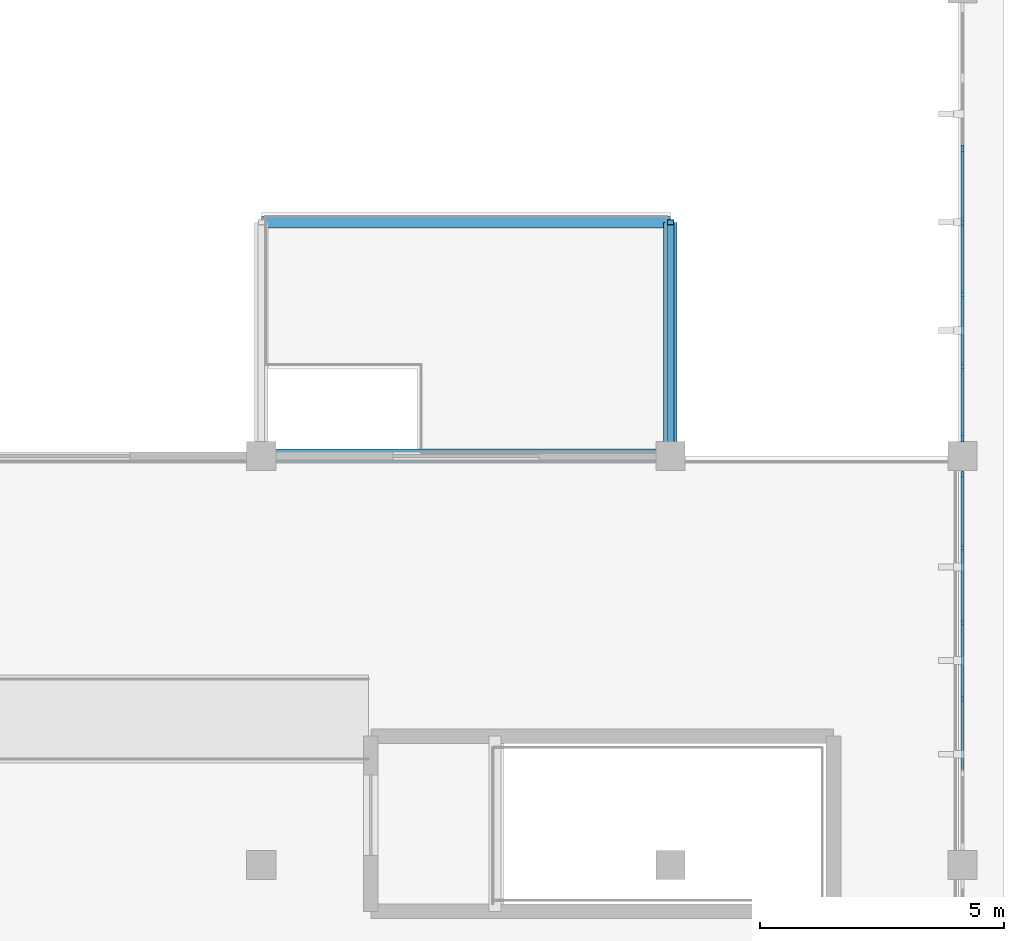
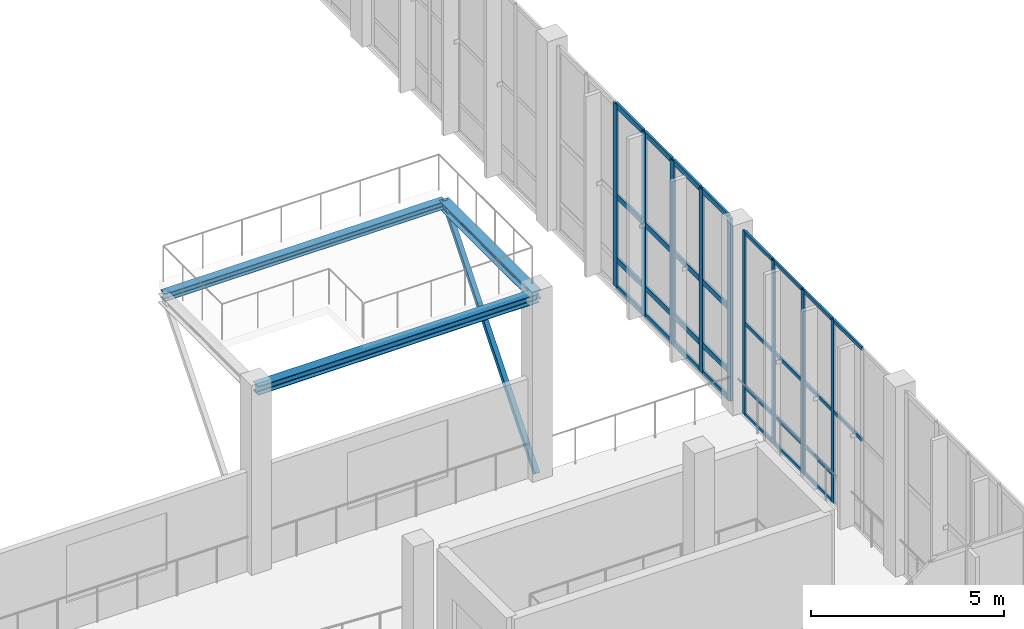
# One storey, part 50 of 105: 40 members, 3 beams, 2 elements without a shape of their own.
"""IFC4 building model written with IfcOpenShell, lengths in metres."""

from ifc_helpers import new_model, si_unit, direction, frame, origin, origin_2d, place, context, subcontext, project, spatial, rectangle, hollow_rectangle, i_section, extrude, material, material_profile, profile_set, type_object, element, aggregate, save


model = new_model("IFC4")

# Units and contexts
model_context = context("Model", 3, precision=1e-05, world=origin(), true_north=direction((0.0, 1.0)))
body_context = subcontext(model_context, "Body", "Model", "MODEL_VIEW")
ifc_project = project(units=[si_unit("LENGTHUNIT", "METRE"), si_unit("AREAUNIT", "SQUARE_METRE"), si_unit("VOLUMEUNIT", "CUBIC_METRE"), si_unit("PLANEANGLEUNIT", "RADIAN"), si_unit("MASSUNIT", "GRAM", prefix="KILO")], contexts=[model_context])

# Site, building, storey
site_placement = place(None, origin())
site = spatial("IfcSite", under=ifc_project, at=site_placement, CompositionType="ELEMENT")
building_placement = place(site_placement, origin())
building = spatial("IfcBuilding", under=site, at=building_placement, Name="Tizgana Railside Sports Hall", CompositionType="ELEMENT")
storey_placement = place(building_placement, frame((0.0, 0.0, 6.0)))
storey = spatial("IfcBuildingStorey", under=building, at=storey_placement, Name="L01", CompositionType="ELEMENT", Elevation=6.0)

# Curtain wall, members
ifc_material_1 = material(Name="Anodised aluminium and glass", Category="aluminium")
curtain_wall_type_1 = type_object("IfcCurtainWallType", Name="Unitised Curtain Wall Clinic 1200", PredefinedType="NOTDEFINED", material=ifc_material_1)
curtain_wall_1_placement = place(storey_placement, origin())
curtain_wall_1 = element("IfcCurtainWall", 1, at=curtain_wall_1_placement, inside=storey, type_object=curtain_wall_type_1, Name="L01 Curtain Wall CW-0060", PredefinedType="NOTDEFINED")
ifc_material_2 = material(Name="Anodised aluminium", Category="aluminium")
ifc_material_profile_1 = material_profile(ifc_material_2, rectangle(XDim=0.06005859375, YDim=0.139892578125, at=origin_2d()), Name="Mullion 60x140")
ifc_profile_set_1 = profile_set([ifc_material_profile_1], Name="Anodised aluminium")
member_type_1 = type_object("IfcMemberType", Name="Mullion 60x140", PredefinedType="MULLION", material=ifc_profile_set_1)
member_1_placement = place(storey_placement, frame((172.199951171875, 83.8310546875, 0.0), z_axis=(0.0, 0.0, 1.0), x_axis=(-1.0, 0.0, 0.0)))
member_1 = element("IfcMember", 2, at=member_1_placement, type_object=member_type_1, Name="CW-05 mullion 3", PredefinedType="MULLION", context=body_context, shape_type="SweptSolid", body=[
    extrude(rectangle(XDim=0.06005859375, YDim=0.139892578125, at=origin_2d()), origin(), (0.0, 0.0, 1.0), 5.800048828125),
])
member_2_placement = place(storey_placement, frame((172.199951171875, 85.368896484375, 0.0), z_axis=(0.0, 0.0, 1.0), x_axis=(-1.0, 0.0, 0.0)))
member_2 = element("IfcMember", 3, at=member_2_placement, type_object=member_type_1, Name="CW-05 mullion 4", PredefinedType="MULLION", context=body_context, shape_type="SweptSolid", body=[
    extrude(rectangle(XDim=0.06005859375, YDim=0.139892578125, at=origin_2d()), origin(), (0.0, 0.0, 1.0), 5.800048828125),
])
member_3_placement = place(storey_placement, frame((172.199951171875, 86.906982421875, 0.0), z_axis=(0.0, 0.0, 1.0), x_axis=(-1.0, 0.0, 0.0)))
member_3 = element("IfcMember", 4, at=member_3_placement, type_object=member_type_1, Name="CW-05 mullion 5", PredefinedType="MULLION", context=body_context, shape_type="SweptSolid", body=[
    extrude(rectangle(XDim=0.06005859375, YDim=0.139892578125, at=origin_2d()), origin(), (0.0, 0.0, 1.0), 5.800048828125),
])
member_4_placement = place(storey_placement, frame((172.199951171875, 88.4150390625, 0.0), z_axis=(0.0, 0.0, 1.0), x_axis=(-1.0, 0.0, 0.0)))
member_4 = element("IfcMember", 5, at=member_4_placement, type_object=member_type_1, Name="CW-05 mullion 6", PredefinedType="MULLION", context=body_context, shape_type="SweptSolid", body=[
    extrude(rectangle(XDim=0.06005859375, YDim=0.139892578125, at=origin_2d()), origin(), (0.0, 0.0, 1.0), 5.800048828125),
])

curtain_wall_type_2 = type_object("IfcCurtainWallType", Name="Unitised Curtain Wall EastHall 1500", PredefinedType="NOTDEFINED", material=ifc_material_1)
curtain_wall_2_placement = place(storey_placement, origin())
curtain_wall_2 = element("IfcCurtainWall", 6, at=curtain_wall_2_placement, inside=storey, type_object=curtain_wall_type_2, Name="L01 Curtain Wall CW-0063", PredefinedType="NOTDEFINED")
ifc_material_profile_2 = material_profile(ifc_material_2, rectangle(XDim=0.06494140625, YDim=0.199951171875, at=origin_2d()), Name="Mullion 65x200")
ifc_profile_set_2 = profile_set([ifc_material_profile_2], Name="Anodised aluminium")
member_type_2 = type_object("IfcMemberType", Name="Mullion 65x200", PredefinedType="MULLION", material=ifc_profile_set_2)
member_5_placement = place(storey_placement, frame((172.199951171875, 89.1875, 0.0), z_axis=(0.0, 0.0, 1.0), x_axis=(-1.0, 0.0, 0.0)))
member_5 = element("IfcMember", 7, at=member_5_placement, type_object=member_type_2, Name="CW-08 mullion 1", PredefinedType="MULLION", context=body_context, shape_type="SweptSolid", body=[
    extrude(rectangle(XDim=0.06494140625, YDim=0.199951171875, at=origin_2d()), origin(), (0.0, 0.0, 1.0), 5.800048828125),
])
member_6_placement = place(storey_placement, frame((172.199951171875, 90.63671875, 0.0), z_axis=(0.0, 0.0, 1.0), x_axis=(-1.0, 0.0, 0.0)))
member_6 = element("IfcMember", 8, at=member_6_placement, type_object=member_type_2, Name="CW-08 mullion 2", PredefinedType="MULLION", context=body_context, shape_type="SweptSolid", body=[
    extrude(rectangle(XDim=0.06494140625, YDim=0.199951171875, at=origin_2d()), origin(), (0.0, 0.0, 1.0), 5.800048828125),
])
member_7_placement = place(storey_placement, frame((172.199951171875, 92.118408203125, 0.0), z_axis=(0.0, 0.0, 1.0), x_axis=(-1.0, 0.0, 0.0)))
member_7 = element("IfcMember", 9, at=member_7_placement, type_object=member_type_2, Name="CW-08 mullion 3", PredefinedType="MULLION", context=body_context, shape_type="SweptSolid", body=[
    extrude(rectangle(XDim=0.06494140625, YDim=0.199951171875, at=origin_2d()), origin(), (0.0, 0.0, 1.0), 5.800048828125),
])
member_8_placement = place(storey_placement, frame((172.199951171875, 93.60009765625, 0.0), z_axis=(0.0, 0.0, 1.0), x_axis=(-1.0, 0.0, 0.0)))
member_8 = element("IfcMember", 10, at=member_8_placement, type_object=member_type_2, Name="CW-08 mullion 4", PredefinedType="MULLION", context=body_context, shape_type="SweptSolid", body=[
    extrude(rectangle(XDim=0.06494140625, YDim=0.199951171875, at=origin_2d()), origin(), (0.0, 0.0, 1.0), 5.800048828125),
])
member_9_placement = place(storey_placement, frame((172.199951171875, 95.081787109375, 0.0), z_axis=(0.0, 0.0, 1.0), x_axis=(-1.0, 0.0, 0.0)))
member_9 = element("IfcMember", 11, at=member_9_placement, type_object=member_type_2, Name="CW-08 mullion 5", PredefinedType="MULLION", context=body_context, shape_type="SweptSolid", body=[
    extrude(rectangle(XDim=0.06494140625, YDim=0.199951171875, at=origin_2d()), origin(), (0.0, 0.0, 1.0), 5.800048828125),
])

# Beams
ifc_material_3 = material(Name="Steel S355J2", Category="steel")
ifc_material_profile_3 = material_profile(ifc_material_3, i_section(OverallWidth=0.239990234375, OverallDepth=0.239990234375, WebThickness=0.010009765625, FlangeThickness=0.01708984375, FilletRadius=0.02099609375, at=origin_2d()), Name="HEB 240")
ifc_profile_set_3 = profile_set([ifc_material_profile_3], Name="Steel S355J2")
beam_type_1 = type_object("IfcBeamType", Name="Steel Beam HEB 240", PredefinedType="BEAM", material=ifc_profile_set_3)
beam_1_placement = place(storey_placement, frame((157.800048828125, 93.60009765625, 5.64990234375), z_axis=(1.0, 0.0, 0.0), x_axis=(0.0, 1.0, 0.0)))
element("IfcBeam", 12, at=beam_1_placement, inside=storey, type_object=beam_type_1, Name="L01 BEM-1298", PredefinedType="BEAM", context=body_context, shape_type="SweptSolid", body=[
    extrude(i_section(OverallWidth=0.239990234375, OverallDepth=0.239990234375, WebThickness=0.010009765625, FlangeThickness=0.01708984375, FilletRadius=0.02099609375, at=origin_2d()), origin(), (0.0, 0.0, 1.0), 8.39990234375),
])
ifc_material_profile_4 = material_profile(ifc_material_3, i_section(OverallWidth=0.280029296875, OverallDepth=0.280029296875, WebThickness=0.010498046875, FlangeThickness=0.01806640625, FilletRadius=0.02392578125, at=origin_2d()), Name="HEB 280")
ifc_profile_set_4 = profile_set([ifc_material_profile_4], Name="Steel S355J2")
beam_type_2 = type_object("IfcBeamType", Name="Steel Beam HEB 280", PredefinedType="BEAM", material=ifc_profile_set_4)
beam_2_placement = place(storey_placement, frame((157.800048828125, 88.800048828125, 5.6298828125), z_axis=(1.0, 0.0, 0.0), x_axis=(0.0, 1.0, 0.0)))
element("IfcBeam", 13, at=beam_2_placement, inside=storey, type_object=beam_type_2, Name="L01 BEM-1297", PredefinedType="BEAM", context=body_context, shape_type="SweptSolid", body=[
    extrude(i_section(OverallWidth=0.280029296875, OverallDepth=0.280029296875, WebThickness=0.010498046875, FlangeThickness=0.01806640625, FilletRadius=0.02392578125, at=origin_2d()), origin(), (0.0, 0.0, 1.0), 8.39990234375),
])
beam_3_placement = place(storey_placement, frame((166.199951171875, 88.800048828125, 5.6298828125), z_axis=(0.0, 1.0, 0.0), x_axis=(-1.0, 0.0, 0.0)))
element("IfcBeam", 14, at=beam_3_placement, inside=storey, type_object=beam_type_2, Name="L01 BEM-1300", PredefinedType="BEAM", context=body_context, shape_type="SweptSolid", body=[
    extrude(i_section(OverallWidth=0.280029296875, OverallDepth=0.280029296875, WebThickness=0.010498046875, FlangeThickness=0.01806640625, FilletRadius=0.02392578125, at=origin_2d()), origin(), (0.0, 0.0, 1.0), 4.800048828125),
])

# Member
ifc_material_profile_5 = material_profile(ifc_material_3, hollow_rectangle(XDim=0.139892578125, YDim=0.139892578125, WallThickness=0.008056640625, at=origin_2d()), Name="SHS 140x140x8")
ifc_profile_set_5 = profile_set([ifc_material_profile_5], Name="Steel S355J2")
member_type_3 = type_object("IfcMemberType", Name="Steel Brace SHS 140x140x8", PredefinedType="BRACE", material=ifc_profile_set_5)
member_10_placement = place(storey_placement, frame((166.199951171875, 88.800048828125, 0.0), z_axis=(0.0, 0.639531477187, 0.768764911847), x_axis=(-1.0, 0.0, 0.0)))
element("IfcMember", 15, at=member_10_placement, inside=storey, type_object=member_type_3, Name="L01 Catwalk Raker", PredefinedType="BRACE", context=body_context, shape_type="SweptSolid", body=[
    extrude(hollow_rectangle(XDim=0.139892578125, YDim=0.139892578125, WallThickness=0.008056640625, at=origin_2d()), origin(), (0.0, 0.0, 1.0), 7.505615234375),
])

ifc_material_profile_6 = material_profile(ifc_material_2, rectangle(XDim=0.06005859375, YDim=0.110107421875, at=origin_2d()), Name="Transom 60x110")
ifc_profile_set_6 = profile_set([ifc_material_profile_6], Name="Anodised aluminium")
member_type_4 = type_object("IfcMemberType", Name="Transom 60x110", PredefinedType="USERDEFINED", material=ifc_profile_set_6)
member_11_placement = place(storey_placement, frame((172.199951171875, 82.322998046875, 2.89990234375), z_axis=(0.0, 1.0, 0.0), x_axis=(-1.0, 0.0, 0.0)))
member_11 = element("IfcMember", 16, at=member_11_placement, type_object=member_type_4, Name="CW-05 transom 2.3", ObjectType="TRANSOM", PredefinedType="USERDEFINED", context=body_context, shape_type="SweptSolid", body=[
    extrude(rectangle(XDim=0.06005859375, YDim=0.110107421875, at=origin_2d()), origin(), (0.0, 0.0, 1.0), 1.47802734375),
])

member_12_placement = place(storey_placement, frame((172.199951171875, 82.322998046875, 5.77001953125), z_axis=(0.0, 1.0, 0.0), x_axis=(-1.0, 0.0, 0.0)))
member_12 = element("IfcMember", 17, at=member_12_placement, type_object=member_type_4, Name="CW-05 transom 2.4", ObjectType="TRANSOM", PredefinedType="USERDEFINED", context=body_context, shape_type="SweptSolid", body=[
    extrude(rectangle(XDim=0.06005859375, YDim=0.110107421875, at=origin_2d()), origin(), (0.0, 0.0, 1.0), 1.47802734375),
])

member_13_placement = place(storey_placement, frame((172.199951171875, 83.861083984375, 0.030029296875), z_axis=(0.0, 1.0, 0.0), x_axis=(-1.0, 0.0, 0.0)))
member_13 = element("IfcMember", 18, at=member_13_placement, type_object=member_type_4, Name="CW-05 transom 3.1", ObjectType="TRANSOM", PredefinedType="USERDEFINED", context=body_context, shape_type="SweptSolid", body=[
    extrude(rectangle(XDim=0.06005859375, YDim=0.110107421875, at=origin_2d()), origin(), (0.0, 0.0, 1.0), 1.47802734375),
])

member_14_placement = place(storey_placement, frame((172.199951171875, 83.861083984375, 0.89990234375), z_axis=(0.0, 1.0, 0.0), x_axis=(-1.0, 0.0, 0.0)))
member_14 = element("IfcMember", 19, at=member_14_placement, type_object=member_type_4, Name="CW-05 transom 3.2", ObjectType="TRANSOM", PredefinedType="USERDEFINED", context=body_context, shape_type="SweptSolid", body=[
    extrude(rectangle(XDim=0.06005859375, YDim=0.110107421875, at=origin_2d()), origin(), (0.0, 0.0, 1.0), 1.47802734375),
])

member_15_placement = place(storey_placement, frame((172.199951171875, 83.861083984375, 2.89990234375), z_axis=(0.0, 1.0, 0.0), x_axis=(-1.0, 0.0, 0.0)))
member_15 = element("IfcMember", 20, at=member_15_placement, type_object=member_type_4, Name="CW-05 transom 3.3", ObjectType="TRANSOM", PredefinedType="USERDEFINED", context=body_context, shape_type="SweptSolid", body=[
    extrude(rectangle(XDim=0.06005859375, YDim=0.110107421875, at=origin_2d()), origin(), (0.0, 0.0, 1.0), 1.47802734375),
])

member_16_placement = place(storey_placement, frame((172.199951171875, 83.861083984375, 5.77001953125), z_axis=(0.0, 1.0, 0.0), x_axis=(-1.0, 0.0, 0.0)))
member_16 = element("IfcMember", 21, at=member_16_placement, type_object=member_type_4, Name="CW-05 transom 3.4", ObjectType="TRANSOM", PredefinedType="USERDEFINED", context=body_context, shape_type="SweptSolid", body=[
    extrude(rectangle(XDim=0.06005859375, YDim=0.110107421875, at=origin_2d()), origin(), (0.0, 0.0, 1.0), 1.47802734375),
])

member_17_placement = place(storey_placement, frame((172.199951171875, 85.39892578125, 0.030029296875), z_axis=(0.0, 1.0, 0.0), x_axis=(-1.0, 0.0, 0.0)))
member_17 = element("IfcMember", 22, at=member_17_placement, type_object=member_type_4, Name="CW-05 transom 4.1", ObjectType="TRANSOM", PredefinedType="USERDEFINED", context=body_context, shape_type="SweptSolid", body=[
    extrude(rectangle(XDim=0.06005859375, YDim=0.110107421875, at=origin_2d()), origin(), (0.0, 0.0, 1.0), 1.47802734375),
])

member_18_placement = place(storey_placement, frame((172.199951171875, 85.39892578125, 0.89990234375), z_axis=(0.0, 1.0, 0.0), x_axis=(-1.0, 0.0, 0.0)))
member_18 = element("IfcMember", 23, at=member_18_placement, type_object=member_type_4, Name="CW-05 transom 4.2", ObjectType="TRANSOM", PredefinedType="USERDEFINED", context=body_context, shape_type="SweptSolid", body=[
    extrude(rectangle(XDim=0.06005859375, YDim=0.110107421875, at=origin_2d()), origin(), (0.0, 0.0, 1.0), 1.47802734375),
])

member_19_placement = place(storey_placement, frame((172.199951171875, 85.39892578125, 2.89990234375), z_axis=(0.0, 1.0, 0.0), x_axis=(-1.0, 0.0, 0.0)))
member_19 = element("IfcMember", 24, at=member_19_placement, type_object=member_type_4, Name="CW-05 transom 4.3", ObjectType="TRANSOM", PredefinedType="USERDEFINED", context=body_context, shape_type="SweptSolid", body=[
    extrude(rectangle(XDim=0.06005859375, YDim=0.110107421875, at=origin_2d()), origin(), (0.0, 0.0, 1.0), 1.47802734375),
])

member_20_placement = place(storey_placement, frame((172.199951171875, 85.39892578125, 5.77001953125), z_axis=(0.0, 1.0, 0.0), x_axis=(-1.0, 0.0, 0.0)))
member_20 = element("IfcMember", 25, at=member_20_placement, type_object=member_type_4, Name="CW-05 transom 4.4", ObjectType="TRANSOM", PredefinedType="USERDEFINED", context=body_context, shape_type="SweptSolid", body=[
    extrude(rectangle(XDim=0.06005859375, YDim=0.110107421875, at=origin_2d()), origin(), (0.0, 0.0, 1.0), 1.47802734375),
])

member_21_placement = place(storey_placement, frame((172.199951171875, 86.93701171875, 0.030029296875), z_axis=(0.0, 1.0, 0.0), x_axis=(-1.0, 0.0, 0.0)))
member_21 = element("IfcMember", 26, at=member_21_placement, type_object=member_type_4, Name="CW-05 transom 5.1", ObjectType="TRANSOM", PredefinedType="USERDEFINED", context=body_context, shape_type="SweptSolid", body=[
    extrude(rectangle(XDim=0.06005859375, YDim=0.110107421875, at=origin_2d()), origin(), (0.0, 0.0, 1.0), 1.447998046875),
])

member_22_placement = place(storey_placement, frame((172.199951171875, 86.93701171875, 0.89990234375), z_axis=(0.0, 1.0, 0.0), x_axis=(-1.0, 0.0, 0.0)))
member_22 = element("IfcMember", 27, at=member_22_placement, type_object=member_type_4, Name="CW-05 transom 5.2", ObjectType="TRANSOM", PredefinedType="USERDEFINED", context=body_context, shape_type="SweptSolid", body=[
    extrude(rectangle(XDim=0.06005859375, YDim=0.110107421875, at=origin_2d()), origin(), (0.0, 0.0, 1.0), 1.447998046875),
])

member_23_placement = place(storey_placement, frame((172.199951171875, 86.93701171875, 2.89990234375), z_axis=(0.0, 1.0, 0.0), x_axis=(-1.0, 0.0, 0.0)))
member_23 = element("IfcMember", 28, at=member_23_placement, type_object=member_type_4, Name="CW-05 transom 5.3", ObjectType="TRANSOM", PredefinedType="USERDEFINED", context=body_context, shape_type="SweptSolid", body=[
    extrude(rectangle(XDim=0.06005859375, YDim=0.110107421875, at=origin_2d()), origin(), (0.0, 0.0, 1.0), 1.447998046875),
])

member_24_placement = place(storey_placement, frame((172.199951171875, 86.93701171875, 5.77001953125), z_axis=(0.0, 1.0, 0.0), x_axis=(-1.0, 0.0, 0.0)))
member_24 = element("IfcMember", 29, at=member_24_placement, type_object=member_type_4, Name="CW-05 transom 5.4", ObjectType="TRANSOM", PredefinedType="USERDEFINED", context=body_context, shape_type="SweptSolid", body=[
    extrude(rectangle(XDim=0.06005859375, YDim=0.110107421875, at=origin_2d()), origin(), (0.0, 0.0, 1.0), 1.447998046875),
])

aggregate(curtain_wall_1, [member_1, member_2, member_3, member_4, member_11, member_12, member_13, member_14, member_15, member_16, member_17, member_18, member_19, member_20, member_21, member_22, member_23, member_24])

ifc_material_profile_7 = material_profile(ifc_material_2, rectangle(XDim=0.06494140625, YDim=0.169921875, at=origin_2d()), Name="Transom 65x170")
ifc_profile_set_7 = profile_set([ifc_material_profile_7], Name="Anodised aluminium")
member_type_5 = type_object("IfcMemberType", Name="Transom 65x170", PredefinedType="USERDEFINED", material=ifc_profile_set_7)
member_25_placement = place(storey_placement, frame((172.199951171875, 89.219970703125, 0.032470703125), z_axis=(0.0, 1.0, 0.0), x_axis=(-1.0, 0.0, 0.0)))
member_25 = element("IfcMember", 30, at=member_25_placement, type_object=member_type_5, Name="CW-08 transom 1.1", ObjectType="TRANSOM", PredefinedType="USERDEFINED", context=body_context, shape_type="SweptSolid", body=[
    extrude(rectangle(XDim=0.06494140625, YDim=0.169921875, at=origin_2d()), origin(), (0.0, 0.0, 1.0), 1.38427734375),
])

member_26_placement = place(storey_placement, frame((172.199951171875, 89.219970703125, 0.89990234375), z_axis=(0.0, 1.0, 0.0), x_axis=(-1.0, 0.0, 0.0)))
member_26 = element("IfcMember", 31, at=member_26_placement, type_object=member_type_5, Name="CW-08 transom 1.2", ObjectType="TRANSOM", PredefinedType="USERDEFINED", context=body_context, shape_type="SweptSolid", body=[
    extrude(rectangle(XDim=0.06494140625, YDim=0.169921875, at=origin_2d()), origin(), (0.0, 0.0, 1.0), 1.38427734375),
])

member_27_placement = place(storey_placement, frame((172.199951171875, 89.219970703125, 2.89990234375), z_axis=(0.0, 1.0, 0.0), x_axis=(-1.0, 0.0, 0.0)))
member_27 = element("IfcMember", 32, at=member_27_placement, type_object=member_type_5, Name="CW-08 transom 1.3", ObjectType="TRANSOM", PredefinedType="USERDEFINED", context=body_context, shape_type="SweptSolid", body=[
    extrude(rectangle(XDim=0.06494140625, YDim=0.169921875, at=origin_2d()), origin(), (0.0, 0.0, 1.0), 1.38427734375),
])

member_28_placement = place(storey_placement, frame((172.199951171875, 89.219970703125, 5.767578125), z_axis=(0.0, 1.0, 0.0), x_axis=(-1.0, 0.0, 0.0)))
member_28 = element("IfcMember", 33, at=member_28_placement, type_object=member_type_5, Name="CW-08 transom 1.4", ObjectType="TRANSOM", PredefinedType="USERDEFINED", context=body_context, shape_type="SweptSolid", body=[
    extrude(rectangle(XDim=0.06494140625, YDim=0.169921875, at=origin_2d()), origin(), (0.0, 0.0, 1.0), 1.38427734375),
])

member_29_placement = place(storey_placement, frame((172.199951171875, 90.669189453125, 0.032470703125), z_axis=(0.0, 1.0, 0.0), x_axis=(-1.0, 0.0, 0.0)))
member_29 = element("IfcMember", 34, at=member_29_placement, type_object=member_type_5, Name="CW-08 transom 2.1", ObjectType="TRANSOM", PredefinedType="USERDEFINED", context=body_context, shape_type="SweptSolid", body=[
    extrude(rectangle(XDim=0.06494140625, YDim=0.169921875, at=origin_2d()), origin(), (0.0, 0.0, 1.0), 1.416748046875),
])

member_30_placement = place(storey_placement, frame((172.199951171875, 90.669189453125, 0.89990234375), z_axis=(0.0, 1.0, 0.0), x_axis=(-1.0, 0.0, 0.0)))
member_30 = element("IfcMember", 35, at=member_30_placement, type_object=member_type_5, Name="CW-08 transom 2.2", ObjectType="TRANSOM", PredefinedType="USERDEFINED", context=body_context, shape_type="SweptSolid", body=[
    extrude(rectangle(XDim=0.06494140625, YDim=0.169921875, at=origin_2d()), origin(), (0.0, 0.0, 1.0), 1.416748046875),
])

member_31_placement = place(storey_placement, frame((172.199951171875, 90.669189453125, 2.89990234375), z_axis=(0.0, 1.0, 0.0), x_axis=(-1.0, 0.0, 0.0)))
member_31 = element("IfcMember", 36, at=member_31_placement, type_object=member_type_5, Name="CW-08 transom 2.3", ObjectType="TRANSOM", PredefinedType="USERDEFINED", context=body_context, shape_type="SweptSolid", body=[
    extrude(rectangle(XDim=0.06494140625, YDim=0.169921875, at=origin_2d()), origin(), (0.0, 0.0, 1.0), 1.416748046875),
])

member_32_placement = place(storey_placement, frame((172.199951171875, 90.669189453125, 5.767578125), z_axis=(0.0, 1.0, 0.0), x_axis=(-1.0, 0.0, 0.0)))
member_32 = element("IfcMember", 37, at=member_32_placement, type_object=member_type_5, Name="CW-08 transom 2.4", ObjectType="TRANSOM", PredefinedType="USERDEFINED", context=body_context, shape_type="SweptSolid", body=[
    extrude(rectangle(XDim=0.06494140625, YDim=0.169921875, at=origin_2d()), origin(), (0.0, 0.0, 1.0), 1.416748046875),
])

member_33_placement = place(storey_placement, frame((172.199951171875, 92.15087890625, 0.032470703125), z_axis=(0.0, 1.0, 0.0), x_axis=(-1.0, 0.0, 0.0)))
member_33 = element("IfcMember", 38, at=member_33_placement, type_object=member_type_5, Name="CW-08 transom 3.1", ObjectType="TRANSOM", PredefinedType="USERDEFINED", context=body_context, shape_type="SweptSolid", body=[
    extrude(rectangle(XDim=0.06494140625, YDim=0.169921875, at=origin_2d()), origin(), (0.0, 0.0, 1.0), 1.41650390625),
])

member_34_placement = place(storey_placement, frame((172.199951171875, 92.15087890625, 0.89990234375), z_axis=(0.0, 1.0, 0.0), x_axis=(-1.0, 0.0, 0.0)))
member_34 = element("IfcMember", 39, at=member_34_placement, type_object=member_type_5, Name="CW-08 transom 3.2", ObjectType="TRANSOM", PredefinedType="USERDEFINED", context=body_context, shape_type="SweptSolid", body=[
    extrude(rectangle(XDim=0.06494140625, YDim=0.169921875, at=origin_2d()), origin(), (0.0, 0.0, 1.0), 1.41650390625),
])

member_35_placement = place(storey_placement, frame((172.199951171875, 92.15087890625, 2.89990234375), z_axis=(0.0, 1.0, 0.0), x_axis=(-1.0, 0.0, 0.0)))
member_35 = element("IfcMember", 40, at=member_35_placement, type_object=member_type_5, Name="CW-08 transom 3.3", ObjectType="TRANSOM", PredefinedType="USERDEFINED", context=body_context, shape_type="SweptSolid", body=[
    extrude(rectangle(XDim=0.06494140625, YDim=0.169921875, at=origin_2d()), origin(), (0.0, 0.0, 1.0), 1.41650390625),
])

member_36_placement = place(storey_placement, frame((172.199951171875, 92.15087890625, 5.767578125), z_axis=(0.0, 1.0, 0.0), x_axis=(-1.0, 0.0, 0.0)))
member_36 = element("IfcMember", 41, at=member_36_placement, type_object=member_type_5, Name="CW-08 transom 3.4", ObjectType="TRANSOM", PredefinedType="USERDEFINED", context=body_context, shape_type="SweptSolid", body=[
    extrude(rectangle(XDim=0.06494140625, YDim=0.169921875, at=origin_2d()), origin(), (0.0, 0.0, 1.0), 1.41650390625),
])

member_37_placement = place(storey_placement, frame((172.199951171875, 93.632568359375, 0.032470703125), z_axis=(0.0, 1.0, 0.0), x_axis=(-1.0, 0.0, 0.0)))
member_37 = element("IfcMember", 42, at=member_37_placement, type_object=member_type_5, Name="CW-08 transom 4.1", ObjectType="TRANSOM", PredefinedType="USERDEFINED", context=body_context, shape_type="SweptSolid", body=[
    extrude(rectangle(XDim=0.06494140625, YDim=0.169921875, at=origin_2d()), origin(), (0.0, 0.0, 1.0), 1.41650390625),
])

member_38_placement = place(storey_placement, frame((172.199951171875, 93.632568359375, 0.89990234375), z_axis=(0.0, 1.0, 0.0), x_axis=(-1.0, 0.0, 0.0)))
member_38 = element("IfcMember", 43, at=member_38_placement, type_object=member_type_5, Name="CW-08 transom 4.2", ObjectType="TRANSOM", PredefinedType="USERDEFINED", context=body_context, shape_type="SweptSolid", body=[
    extrude(rectangle(XDim=0.06494140625, YDim=0.169921875, at=origin_2d()), origin(), (0.0, 0.0, 1.0), 1.41650390625),
])

member_39_placement = place(storey_placement, frame((172.199951171875, 93.632568359375, 2.89990234375), z_axis=(0.0, 1.0, 0.0), x_axis=(-1.0, 0.0, 0.0)))
member_39 = element("IfcMember", 44, at=member_39_placement, type_object=member_type_5, Name="CW-08 transom 4.3", ObjectType="TRANSOM", PredefinedType="USERDEFINED", context=body_context, shape_type="SweptSolid", body=[
    extrude(rectangle(XDim=0.06494140625, YDim=0.169921875, at=origin_2d()), origin(), (0.0, 0.0, 1.0), 1.41650390625),
])

member_40_placement = place(storey_placement, frame((172.199951171875, 93.632568359375, 5.767578125), z_axis=(0.0, 1.0, 0.0), x_axis=(-1.0, 0.0, 0.0)))
member_40 = element("IfcMember", 45, at=member_40_placement, type_object=member_type_5, Name="CW-08 transom 4.4", ObjectType="TRANSOM", PredefinedType="USERDEFINED", context=body_context, shape_type="SweptSolid", body=[
    extrude(rectangle(XDim=0.06494140625, YDim=0.169921875, at=origin_2d()), origin(), (0.0, 0.0, 1.0), 1.41650390625),
])

aggregate(curtain_wall_2, [member_5, member_6, member_7, member_8, member_9, member_25, member_26, member_27, member_28, member_29, member_30, member_31, member_32, member_33, member_34, member_35, member_36, member_37, member_38, member_39, member_40])

save(model, "model.ifc")
